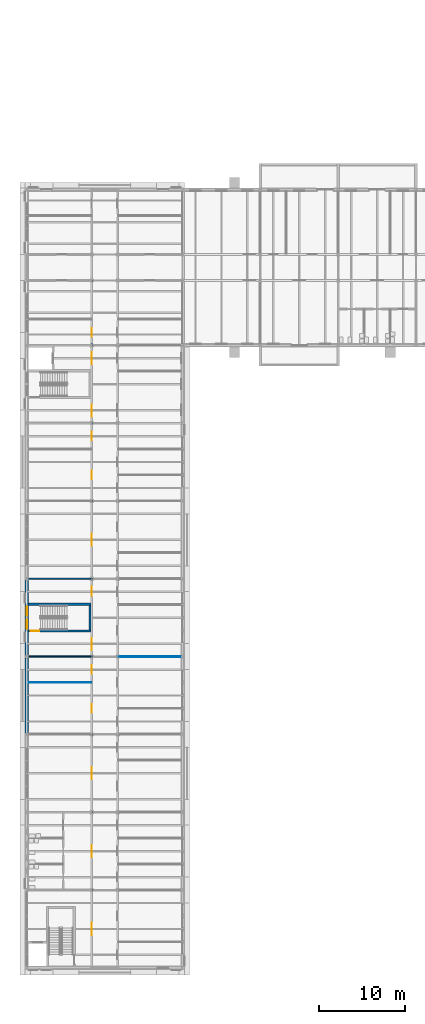
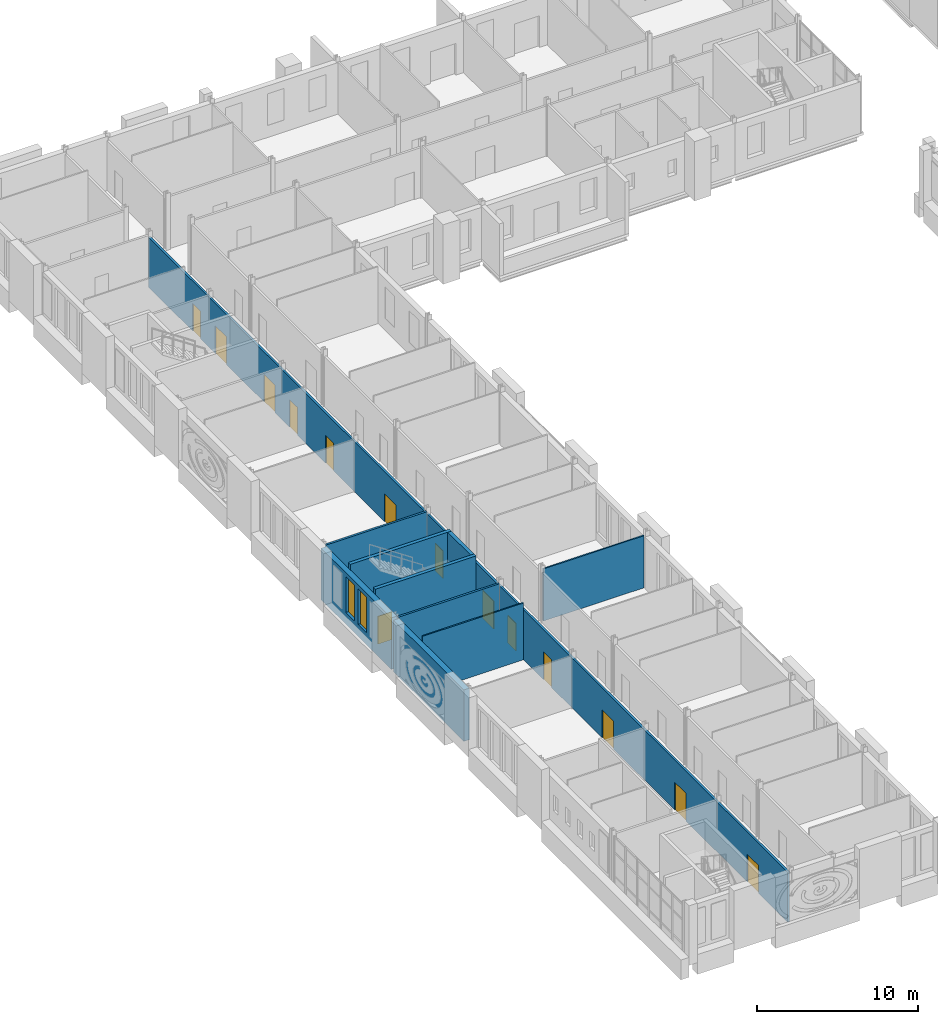
# One storey, part 73 of 131: 14 doors, 10 walls, 2 windows, 16 openings.
"""IFC4 building model written with IfcOpenShell, lengths in metres."""

from ifc_helpers import new_model, si_unit, direction, frame, frame_2d, origin, place, context, subcontext, project, spatial, rectangle, extrude, material, layer, layer_set, type_object, element, fill, save


model = new_model("IFC4")

# Units and contexts
model_context = context("Model", 3, precision=1e-05, world=origin(), true_north=direction((0.0, 1.0)))
body_context = subcontext(model_context, "Body", "Model", "MODEL_VIEW")
ifc_project = project(units=[si_unit("LENGTHUNIT", "METRE"), si_unit("AREAUNIT", "SQUARE_METRE"), si_unit("VOLUMEUNIT", "CUBIC_METRE"), si_unit("PLANEANGLEUNIT", "RADIAN"), si_unit("MASSUNIT", "GRAM", prefix="KILO")], contexts=[model_context])

# Site, building, storey
site_placement = place(None, origin())
site = spatial("IfcSite", under=ifc_project, at=site_placement, CompositionType="ELEMENT")
building_placement = place(site_placement, origin())
building = spatial("IfcBuilding", under=site, at=building_placement, Name="Golden Quay Civic Hall", CompositionType="ELEMENT")
storey_placement = place(building_placement, frame((0.0, 0.0, 9.89990234375)))
storey = spatial("IfcBuildingStorey", under=building, at=storey_placement, Name="L02", CompositionType="ELEMENT", Elevation=9.89990234375)

# Wall, opening, door
ifc_material_1 = material(Name="Concrete C40/50", Category="concrete")
ifc_layer_1 = layer(ifc_material_1, 0.25)
ifc_layer_set_1 = layer_set([ifc_layer_1], Name="Concrete core wall 250, Concrete C40/50")
wall_type_1 = type_object("IfcWallType", Name="Concrete core wall 250", PredefinedType="SHEAR", material=ifc_layer_set_1)
wall_1_placement = place(storey_placement, frame((0.199951171875, 29.949951171875, 0.0), z_axis=(0.0, 0.0, 1.0), x_axis=(1.0, 0.0, 0.0)))
wall_1 = element("IfcWall", 1, at=wall_1_placement, inside=storey, type_object=wall_type_1, Name="Core wall WO-M-W1", PredefinedType="SHEAR", context=body_context, shape_type="SweptSolid", body=[
    extrude(rectangle(XDim=7.22509765625, YDim=0.25, at=frame_2d((3.612548828125, 0.0))), origin(), (0.0, 0.0, 1.0), 4.300048828125),
])
opening_1_placement = place(wall_1_placement, frame((0.25, 0.0, 0.0)))
opening_1 = element("IfcOpeningElement", 2, at=opening_1_placement, cuts=wall_1, Name="Opening L02-D057", PredefinedType="OPENING", context=body_context, shape_type="SweptSolid", body=[
    extrude(rectangle(XDim=1.0, YDim=2.10009765625, at=frame_2d((0.5, 1.050048828125))), frame((0.0, 0.135009765625, 0.0), z_axis=(0.0, -1.0, 0.0), x_axis=(1.0, 0.0, 0.0)), (0.0, 0.0, 1.0), 0.27001953125),
])
ifc_material_2 = material(Name="Steel", Category="steel")
door_type_1 = type_object("IfcDoorType", Name="Steel fire door FD60 1000 x 2100", OperationType="SINGLE_SWING_LEFT", PredefinedType="DOOR", material=ifc_material_2)
door_1_placement = place(opening_1_placement, origin())
door_1 = element("IfcDoor", 3, at=door_1_placement, inside=storey, type_object=door_type_1, Name="Door L02-D057", OperationType="SINGLE_SWING_LEFT", OverallHeight=2.10009765625, OverallWidth=1.0, PredefinedType="DOOR", context=body_context, shape_type="SweptSolid", body=[
    extrude(rectangle(XDim=1.0, YDim=2.10009765625, at=frame_2d((0.5, 1.050048828125))), frame((0.0, 0.02490234375, 0.0), z_axis=(0.0, -1.0, 0.0), x_axis=(1.0, 0.0, 0.0)), (0.0, 0.0, 1.0), 0.050048828125),
])
fill(opening_1, door_1)

# Walls
wall_2_placement = place(storey_placement, frame((0.199951171875, 33.050048828125, 0.0), z_axis=(0.0, 0.0, 1.0), x_axis=(1.0, 0.0, 0.0)))
element("IfcWall", 4, at=wall_2_placement, inside=storey, type_object=wall_type_1, Name="Core wall WO-M-W2", PredefinedType="SHEAR", context=body_context, shape_type="SweptSolid", body=[
    extrude(rectangle(XDim=7.22509765625, YDim=0.25, at=frame_2d((3.612548828125, 0.0))), origin(), (0.0, 0.0, 1.0), 4.300048828125),
])
wall_3_placement = place(storey_placement, frame((7.300048828125, 30.074951171875, 0.0), z_axis=(0.0, 0.0, 1.0), x_axis=(0.0, 1.0, 0.0)))
element("IfcWall", 5, at=wall_3_placement, inside=storey, type_object=wall_type_1, Name="Core wall WO-M-W3", PredefinedType="SHEAR", context=body_context, shape_type="SweptSolid", body=[
    extrude(rectangle(XDim=2.85009765625, YDim=0.25, at=frame_2d((1.425048828125, 0.0))), origin(), (0.0, 0.0, 1.0), 4.300048828125),
])
ifc_material_3 = material(Name="Plasterboard on steel studs", Category="steel")
ifc_layer_2 = layer(ifc_material_3, 0.10009765625)
ifc_layer_set_2 = layer_set([ifc_layer_2], Name="Partition 100 stud")
wall_type_2 = type_object("IfcWallType", Name="Partition 100 stud", PredefinedType="PARTITIONING", material=ifc_layer_set_2)
wall_4_placement = place(storey_placement, frame((0.199951171875, 24.0, 0.0), z_axis=(0.0, 0.0, 1.0), x_axis=(1.0, 0.0, 0.0)))
element("IfcWall", 6, at=wall_4_placement, inside=storey, type_object=wall_type_2, Name="Partition L02-002", PredefinedType="PARTITIONING", context=body_context, shape_type="SweptSolid", body=[
    extrude(rectangle(XDim=7.22509765625, YDim=0.10009765625, at=frame_2d((3.612548828125, 0.0))), origin(), (0.0, 0.0, 1.0), 4.300048828125),
])
wall_5_placement = place(storey_placement, frame((10.574951171875, 27.0, 0.0), z_axis=(0.0, 0.0, 1.0), x_axis=(1.0, 0.0, 0.0)))
element("IfcWall", 7, at=wall_5_placement, inside=storey, type_object=wall_type_2, Name="Partition L02-016", PredefinedType="PARTITIONING", context=body_context, shape_type="SweptSolid", body=[
    extrude(rectangle(XDim=7.22509765625, YDim=0.10009765625, at=frame_2d((3.612548828125, 0.0))), origin(), (0.0, 0.0, 1.0), 3.9501953125),
])
ifc_material_4 = material(Name="Plasterboard on steel studs", Category="steel")
ifc_layer_3 = layer(ifc_material_4, 0.14990234375)
ifc_layer_set_3 = layer_set([ifc_layer_3], Name="Partition 150 stud fire EI 60")
wall_type_3 = type_object("IfcWallType", Name="Partition 150 stud fire EI 60", PredefinedType="PARTITIONING", material=ifc_layer_set_3)
for number, where, z_axis, x_axis, name in (
    (8, (0.199951171875, 27.0, 0.0), (0.0, 0.0, 1.0), (1.0, 0.0, 0.0), "Partition L02-003"),
    (9, (0.199951171875, 36.0, 0.0), (0.0, 0.0, 1.0), (1.0, 0.0, 0.0), "Partition L02-004"),
):
    element("IfcWall", number, at=place(storey_placement, frame(where, z_axis=z_axis, x_axis=x_axis)), inside=storey, type_object=wall_type_3, Name=name, PredefinedType="PARTITIONING", context=body_context, shape_type="SweptSolid", body=[
        extrude(rectangle(XDim=7.22509765625, YDim=0.14990234375, at=frame_2d((3.612548828125, 0.0))), origin(), (0.0, 0.0, 1.0), 3.9501953125),
    ])

# Wall, openings, doors
wall_6_placement = place(storey_placement, frame((7.5, -8.800048828125, 0.0), z_axis=(0.0, 0.0, 1.0), x_axis=(0.0, 1.0, 0.0)))
wall_6 = element("IfcWall", 10, at=wall_6_placement, inside=storey, type_object=wall_type_3, Name="Partition L02-026", PredefinedType="PARTITIONING", context=body_context, shape_type="SweptSolid", body=[
    extrude(rectangle(XDim=79.300048828125, YDim=0.14990234375, at=frame_2d((39.64990234375, 0.0))), origin(), (0.0, 0.0, 1.0), 3.780029296875),
])
opening_2_placement = place(wall_6_placement, frame((21.60009765625, 0.0, 0.0)))
opening_2 = element("IfcOpeningElement", 11, at=opening_2_placement, cuts=wall_6, Name="Opening L02-D024", PredefinedType="OPENING", context=body_context, shape_type="SweptSolid", body=[
    extrude(rectangle(XDim=1.39990234375, YDim=2.10009765625, at=frame_2d((0.699951171875, 1.050048828125))), frame((0.0, 0.0849609375, 0.0), z_axis=(0.0, -1.0, 0.0), x_axis=(1.0, 0.0, 0.0)), (0.0, 0.0, 1.0), 0.169921875),
])
opening_3_placement = place(wall_6_placement, frame((29.300048828125, 0.0, 0.0)))
opening_3 = element("IfcOpeningElement", 12, at=opening_3_placement, cuts=wall_6, Name="Opening L02-D025", PredefinedType="OPENING", context=body_context, shape_type="SweptSolid", body=[
    extrude(rectangle(XDim=1.0, YDim=2.10009765625, at=frame_2d((0.5, 1.050048828125))), frame((0.0, 0.0849609375, 0.0), z_axis=(0.0, -1.0, 0.0), x_axis=(1.0, 0.0, 0.0)), (0.0, 0.0, 1.0), 0.169921875),
])
opening_4_placement = place(wall_6_placement, frame((33.800048828125, 0.0, 0.0)))
opening_4 = element("IfcOpeningElement", 13, at=opening_4_placement, cuts=wall_6, Name="Opening L02-D026", PredefinedType="OPENING", context=body_context, shape_type="SweptSolid", body=[
    extrude(rectangle(XDim=1.0, YDim=2.10009765625, at=frame_2d((0.5, 1.050048828125))), frame((0.0, 0.0849609375, 0.0), z_axis=(0.0, -1.0, 0.0), x_axis=(1.0, 0.0, 0.0)), (0.0, 0.0, 1.0), 0.169921875),
])
opening_5_placement = place(wall_6_placement, frame((48.60009765625, 0.0, 0.0)))
opening_5 = element("IfcOpeningElement", 14, at=opening_5_placement, cuts=wall_6, Name="Opening L02-D027", PredefinedType="OPENING", context=body_context, shape_type="SweptSolid", body=[
    extrude(rectangle(XDim=1.39990234375, YDim=2.10009765625, at=frame_2d((0.699951171875, 1.050048828125))), frame((0.0, 0.0849609375, 0.0), z_axis=(0.0, -1.0, 0.0), x_axis=(1.0, 0.0, 0.0)), (0.0, 0.0, 1.0), 0.169921875),
])
opening_6_placement = place(wall_6_placement, frame((56.300048828125, 0.0, 0.0)))
opening_6 = element("IfcOpeningElement", 15, at=opening_6_placement, cuts=wall_6, Name="Opening L02-D028", PredefinedType="OPENING", context=body_context, shape_type="SweptSolid", body=[
    extrude(rectangle(XDim=1.0, YDim=2.10009765625, at=frame_2d((0.5, 1.050048828125))), frame((0.0, 0.0849609375, 0.0), z_axis=(0.0, -1.0, 0.0), x_axis=(1.0, 0.0, 0.0)), (0.0, 0.0, 1.0), 0.169921875),
])
opening_7_placement = place(wall_6_placement, frame((60.800048828125, 0.0, 0.0)))
opening_7 = element("IfcOpeningElement", 16, at=opening_7_placement, cuts=wall_6, Name="Opening L02-D029", PredefinedType="OPENING", context=body_context, shape_type="SweptSolid", body=[
    extrude(rectangle(XDim=1.0, YDim=2.10009765625, at=frame_2d((0.5, 1.050048828125))), frame((0.0, 0.0849609375, 0.0), z_axis=(0.0, -1.0, 0.0), x_axis=(1.0, 0.0, 0.0)), (0.0, 0.0, 1.0), 0.169921875),
])
opening_8_placement = place(wall_6_placement, frame((12.60009765625, 0.0, 0.0)))
opening_8 = element("IfcOpeningElement", 17, at=opening_8_placement, cuts=wall_6, Name="Opening L02-D047", PredefinedType="OPENING", context=body_context, shape_type="SweptSolid", body=[
    extrude(rectangle(XDim=1.39990234375, YDim=2.10009765625, at=frame_2d((0.699951171875, 1.050048828125))), frame((0.0, 0.0849609375, 0.0), z_axis=(0.0, -1.0, 0.0), x_axis=(1.0, 0.0, 0.0)), (0.0, 0.0, 1.0), 0.169921875),
])
opening_9_placement = place(wall_6_placement, frame((3.60009765625, 0.0, 0.0)))
opening_9 = element("IfcOpeningElement", 18, at=opening_9_placement, cuts=wall_6, Name="Opening L02-D052", PredefinedType="OPENING", context=body_context, shape_type="SweptSolid", body=[
    extrude(rectangle(XDim=1.39990234375, YDim=2.10009765625, at=frame_2d((0.699951171875, 1.050048828125))), frame((0.0, 0.0849609375, 0.0), z_axis=(0.0, -1.0, 0.0), x_axis=(1.0, 0.0, 0.0)), (0.0, 0.0, 1.0), 0.169921875),
])
opening_10_placement = place(wall_6_placement, frame((63.550048828125, 0.0, 0.0)))
opening_10 = element("IfcOpeningElement", 19, at=opening_10_placement, cuts=wall_6, Name="Opening L02-D054", PredefinedType="OPENING", context=body_context, shape_type="SweptSolid", body=[
    extrude(rectangle(XDim=1.39990234375, YDim=2.10009765625, at=frame_2d((0.699951171875, 1.050048828125))), frame((0.0, 0.0849609375, 0.0), z_axis=(0.0, -1.0, 0.0), x_axis=(1.0, 0.0, 0.0)), (0.0, 0.0, 1.0), 0.169921875),
])
opening_11_placement = place(wall_6_placement, frame((69.60009765625, 0.0, 0.0)))
opening_11 = element("IfcOpeningElement", 20, at=opening_11_placement, cuts=wall_6, Name="Opening L02-D055", PredefinedType="OPENING", context=body_context, shape_type="SweptSolid", body=[
    extrude(rectangle(XDim=1.39990234375, YDim=2.10009765625, at=frame_2d((0.699951171875, 1.050048828125))), frame((0.0, 0.0849609375, 0.0), z_axis=(0.0, -1.0, 0.0), x_axis=(1.0, 0.0, 0.0)), (0.0, 0.0, 1.0), 0.169921875),
])
opening_12_placement = place(wall_6_placement, frame((42.85009765625, 0.0, 0.0)))
opening_12 = element("IfcOpeningElement", 21, at=opening_12_placement, cuts=wall_6, Name="Opening L02-D056", PredefinedType="OPENING", context=body_context, shape_type="SweptSolid", body=[
    extrude(rectangle(XDim=1.0, YDim=2.10009765625, at=frame_2d((0.5, 1.050048828125))), frame((0.0, 0.0849609375, 0.0), z_axis=(0.0, -1.0, 0.0), x_axis=(1.0, 0.0, 0.0)), (0.0, 0.0, 1.0), 0.169921875),
])
opening_13_placement = place(wall_6_placement, frame((36.550048828125, 0.0, 0.0)))
opening_13 = element("IfcOpeningElement", 22, at=opening_13_placement, cuts=wall_6, Name="Opening L02-D058", PredefinedType="OPENING", context=body_context, shape_type="SweptSolid", body=[
    extrude(rectangle(XDim=1.39990234375, YDim=2.10009765625, at=frame_2d((0.699951171875, 1.050048828125))), frame((0.0, 0.0849609375, 0.0), z_axis=(0.0, -1.0, 0.0), x_axis=(1.0, 0.0, 0.0)), (0.0, 0.0, 1.0), 0.169921875),
])
opening_14_placement = place(wall_6_placement, frame((72.800048828125, 0.0, 0.0)))
opening_14 = element("IfcOpeningElement", 23, at=opening_14_placement, cuts=wall_6, Name="Opening L02-D059", PredefinedType="OPENING", context=body_context, shape_type="SweptSolid", body=[
    extrude(rectangle(XDim=1.0, YDim=2.10009765625, at=frame_2d((0.5, 1.050048828125))), frame((0.0, 0.0849609375, 0.0), z_axis=(0.0, -1.0, 0.0), x_axis=(1.0, 0.0, 0.0)), (0.0, 0.0, 1.0), 0.169921875),
])
ifc_material_5 = material(Name="Steel", Category="steel")
door_type_2 = type_object("IfcDoorType", Name="Steel double fire door FD30S 1400 x 2100", OperationType="DOUBLE_DOOR_SINGLE_SWING", PredefinedType="DOOR", material=ifc_material_5)
door_2_placement = place(opening_2_placement, origin())
door_2 = element("IfcDoor", 24, at=door_2_placement, inside=storey, type_object=door_type_2, Name="Door L02-D024", OperationType="DOUBLE_DOOR_SINGLE_SWING", OverallHeight=2.10009765625, OverallWidth=1.39990234375, PredefinedType="DOOR", context=body_context, shape_type="SweptSolid", body=[
    extrude(rectangle(XDim=1.39990234375, YDim=2.10009765625, at=frame_2d((0.699951171875, 1.050048828125))), frame((0.0, 0.02490234375, 0.0), z_axis=(0.0, -1.0, 0.0), x_axis=(1.0, 0.0, 0.0)), (0.0, 0.0, 1.0), 0.050048828125),
])
fill(opening_2, door_2)
door_3_placement = place(opening_5_placement, origin())
door_3 = element("IfcDoor", 25, at=door_3_placement, inside=storey, type_object=door_type_2, Name="Door L02-D027", OperationType="DOUBLE_DOOR_SINGLE_SWING", OverallHeight=2.10009765625, OverallWidth=1.39990234375, PredefinedType="DOOR", context=body_context, shape_type="SweptSolid", body=[
    extrude(rectangle(XDim=1.39990234375, YDim=2.10009765625, at=frame_2d((0.699951171875, 1.050048828125))), frame((0.0, 0.02490234375, 0.0), z_axis=(0.0, -1.0, 0.0), x_axis=(1.0, 0.0, 0.0)), (0.0, 0.0, 1.0), 0.050048828125),
])
fill(opening_5, door_3)
door_4_placement = place(opening_8_placement, origin())
door_4 = element("IfcDoor", 26, at=door_4_placement, inside=storey, type_object=door_type_2, Name="Door L02-D047", OperationType="DOUBLE_DOOR_SINGLE_SWING", OverallHeight=2.10009765625, OverallWidth=1.39990234375, PredefinedType="DOOR", context=body_context, shape_type="SweptSolid", body=[
    extrude(rectangle(XDim=1.39990234375, YDim=2.10009765625, at=frame_2d((0.699951171875, 1.050048828125))), frame((0.0, 0.02490234375, 0.0), z_axis=(0.0, -1.0, 0.0), x_axis=(1.0, 0.0, 0.0)), (0.0, 0.0, 1.0), 0.050048828125),
])
fill(opening_8, door_4)
door_5_placement = place(opening_9_placement, frame((1.39990234375, 0.0, 0.0), z_axis=(0.0, 0.0, 1.0), x_axis=(-1.0, 0.0, 0.0)))
door_5 = element("IfcDoor", 27, at=door_5_placement, inside=storey, type_object=door_type_2, Name="Door L02-D052", OperationType="DOUBLE_DOOR_SINGLE_SWING", OverallHeight=2.10009765625, OverallWidth=1.39990234375, PredefinedType="DOOR", context=body_context, shape_type="SweptSolid", body=[
    extrude(rectangle(XDim=1.39990234375, YDim=2.10009765625, at=frame_2d((0.699951171875, 1.050048828125))), frame((0.0, 0.025146484375, 0.0), z_axis=(0.0, -1.0, 0.0), x_axis=(1.0, 0.0, 0.0)), (0.0, 0.0, 1.0), 0.050048828125),
])
fill(opening_9, door_5)
door_6_placement = place(opening_10_placement, frame((1.39990234375, 0.0, 0.0), z_axis=(0.0, 0.0, 1.0), x_axis=(-1.0, 0.0, 0.0)))
door_6 = element("IfcDoor", 28, at=door_6_placement, inside=storey, type_object=door_type_2, Name="Door L02-D054", OperationType="DOUBLE_DOOR_SINGLE_SWING", OverallHeight=2.10009765625, OverallWidth=1.39990234375, PredefinedType="DOOR", context=body_context, shape_type="SweptSolid", body=[
    extrude(rectangle(XDim=1.39990234375, YDim=2.10009765625, at=frame_2d((0.699951171875, 1.050048828125))), frame((0.0, 0.025146484375, 0.0), z_axis=(0.0, -1.0, 0.0), x_axis=(1.0, 0.0, 0.0)), (0.0, 0.0, 1.0), 0.050048828125),
])
fill(opening_10, door_6)
door_7_placement = place(opening_11_placement, frame((1.39990234375, 0.0, 0.0), z_axis=(0.0, 0.0, 1.0), x_axis=(-1.0, 0.0, 0.0)))
door_7 = element("IfcDoor", 29, at=door_7_placement, inside=storey, type_object=door_type_2, Name="Door L02-D055", OperationType="DOUBLE_DOOR_SINGLE_SWING", OverallHeight=2.10009765625, OverallWidth=1.39990234375, PredefinedType="DOOR", context=body_context, shape_type="SweptSolid", body=[
    extrude(rectangle(XDim=1.39990234375, YDim=2.10009765625, at=frame_2d((0.699951171875, 1.050048828125))), frame((0.0, 0.025146484375, 0.0), z_axis=(0.0, -1.0, 0.0), x_axis=(1.0, 0.0, 0.0)), (0.0, 0.0, 1.0), 0.050048828125),
])
fill(opening_11, door_7)
door_8_placement = place(opening_13_placement, frame((1.39990234375, 0.0, 0.0), z_axis=(0.0, 0.0, 1.0), x_axis=(-1.0, 0.0, 0.0)))
door_8 = element("IfcDoor", 30, at=door_8_placement, inside=storey, type_object=door_type_2, Name="Door L02-D058", OperationType="DOUBLE_DOOR_SINGLE_SWING", OverallHeight=2.10009765625, OverallWidth=1.39990234375, PredefinedType="DOOR", context=body_context, shape_type="SweptSolid", body=[
    extrude(rectangle(XDim=1.39990234375, YDim=2.10009765625, at=frame_2d((0.699951171875, 1.050048828125))), frame((0.0, 0.025146484375, 0.0), z_axis=(0.0, -1.0, 0.0), x_axis=(1.0, 0.0, 0.0)), (0.0, 0.0, 1.0), 0.050048828125),
])
fill(opening_13, door_8)
ifc_material_6 = material(Name="Steel", Category="steel")
door_type_3 = type_object("IfcDoorType", Name="Steel fire door FD30S 1000 x 2100", OperationType="SINGLE_SWING_LEFT", PredefinedType="DOOR", material=ifc_material_6)
door_9_placement = place(opening_3_placement, origin())
door_9 = element("IfcDoor", 31, at=door_9_placement, inside=storey, type_object=door_type_3, Name="Door L02-D025", OperationType="SINGLE_SWING_LEFT", OverallHeight=2.10009765625, OverallWidth=1.0, PredefinedType="DOOR", context=body_context, shape_type="SweptSolid", body=[
    extrude(rectangle(XDim=1.0, YDim=2.10009765625, at=frame_2d((0.5, 1.050048828125))), frame((0.0, 0.02490234375, 0.0), z_axis=(0.0, -1.0, 0.0), x_axis=(1.0, 0.0, 0.0)), (0.0, 0.0, 1.0), 0.050048828125),
])
fill(opening_3, door_9)
door_10_placement = place(opening_4_placement, origin())
door_10 = element("IfcDoor", 32, at=door_10_placement, inside=storey, type_object=door_type_3, Name="Door L02-D026", OperationType="SINGLE_SWING_LEFT", OverallHeight=2.10009765625, OverallWidth=1.0, PredefinedType="DOOR", context=body_context, shape_type="SweptSolid", body=[
    extrude(rectangle(XDim=1.0, YDim=2.10009765625, at=frame_2d((0.5, 1.050048828125))), frame((0.0, 0.02490234375, 0.0), z_axis=(0.0, -1.0, 0.0), x_axis=(1.0, 0.0, 0.0)), (0.0, 0.0, 1.0), 0.050048828125),
])
fill(opening_4, door_10)
door_11_placement = place(opening_6_placement, origin())
door_11 = element("IfcDoor", 33, at=door_11_placement, inside=storey, type_object=door_type_3, Name="Door L02-D028", OperationType="SINGLE_SWING_LEFT", OverallHeight=2.10009765625, OverallWidth=1.0, PredefinedType="DOOR", context=body_context, shape_type="SweptSolid", body=[
    extrude(rectangle(XDim=1.0, YDim=2.10009765625, at=frame_2d((0.5, 1.050048828125))), frame((0.0, 0.02490234375, 0.0), z_axis=(0.0, -1.0, 0.0), x_axis=(1.0, 0.0, 0.0)), (0.0, 0.0, 1.0), 0.050048828125),
])
fill(opening_6, door_11)
door_12_placement = place(opening_7_placement, origin())
door_12 = element("IfcDoor", 34, at=door_12_placement, inside=storey, type_object=door_type_3, Name="Door L02-D029", OperationType="SINGLE_SWING_LEFT", OverallHeight=2.10009765625, OverallWidth=1.0, PredefinedType="DOOR", context=body_context, shape_type="SweptSolid", body=[
    extrude(rectangle(XDim=1.0, YDim=2.10009765625, at=frame_2d((0.5, 1.050048828125))), frame((0.0, 0.02490234375, 0.0), z_axis=(0.0, -1.0, 0.0), x_axis=(1.0, 0.0, 0.0)), (0.0, 0.0, 1.0), 0.050048828125),
])
fill(opening_7, door_12)
door_13_placement = place(opening_12_placement, origin())
door_13 = element("IfcDoor", 35, at=door_13_placement, inside=storey, type_object=door_type_3, Name="Door L02-D056", OperationType="SINGLE_SWING_LEFT", OverallHeight=2.10009765625, OverallWidth=1.0, PredefinedType="DOOR", context=body_context, shape_type="SweptSolid", body=[
    extrude(rectangle(XDim=1.0, YDim=2.10009765625, at=frame_2d((0.5, 1.050048828125))), frame((0.0, 0.02490234375, 0.0), z_axis=(0.0, -1.0, 0.0), x_axis=(1.0, 0.0, 0.0)), (0.0, 0.0, 1.0), 0.050048828125),
])
fill(opening_12, door_13)
door_14_placement = place(opening_14_placement, origin())
door_14 = element("IfcDoor", 36, at=door_14_placement, inside=storey, type_object=door_type_3, Name="Door L02-D059", OperationType="SINGLE_SWING_LEFT", OverallHeight=2.10009765625, OverallWidth=1.0, PredefinedType="DOOR", context=body_context, shape_type="SweptSolid", body=[
    extrude(rectangle(XDim=1.0, YDim=2.10009765625, at=frame_2d((0.5, 1.050048828125))), frame((0.0, 0.02490234375, 0.0), z_axis=(0.0, -1.0, 0.0), x_axis=(1.0, 0.0, 0.0)), (0.0, 0.0, 1.0), 0.050048828125),
])
fill(opening_14, door_14)

# Wall
ifc_material_7 = material(Name="Clay block, rendered, cream")
ifc_layer_4 = layer(ifc_material_7, 0.39990234375)
ifc_layer_set_4 = layer_set([ifc_layer_4], Name="Rendered block external wall 400")
wall_type_4 = type_object("IfcWallType", Name="Rendered block external wall 400", PredefinedType="STANDARD", material=ifc_layer_set_4)
wall_7_placement = place(storey_placement, frame((0.0, 18.14501953125, 0.0), z_axis=(0.0, 0.0, 1.0), x_axis=(0.0, 1.0, 0.0)))
element("IfcWall", 37, at=wall_7_placement, inside=storey, type_object=wall_type_4, Name="Rendered block external wall 400 L02 3", PredefinedType="STANDARD", context=body_context, shape_type="SweptSolid", body=[
    extrude(rectangle(XDim=8.7099609375, YDim=0.39990234375, at=frame_2d((4.35498046875, 0.0))), origin(), (0.0, 0.0, 1.0), 3.900146484375),
])

# Wall, openings, windows
ifc_material_8 = material(Name="Clay block, rendered, cream")
ifc_layer_5 = layer(ifc_material_8, 0.39990234375)
ifc_layer_set_5 = layer_set([ifc_layer_5], Name="Rendered block external wall 400 fire EI 60")
wall_type_5 = type_object("IfcWallType", Name="Rendered block external wall 400 fire EI 60", PredefinedType="STANDARD", material=ifc_layer_set_5)
wall_8_placement = place(storey_placement, frame((0.0, 27.14501953125, 0.0), z_axis=(0.0, 0.0, 1.0), x_axis=(0.0, 1.0, 0.0)))
wall_8 = element("IfcWall", 38, at=wall_8_placement, inside=storey, type_object=wall_type_5, Name="Rendered block external wall 400 fire EI 60 L02 1", PredefinedType="STANDARD", context=body_context, shape_type="SweptSolid", body=[
    extrude(rectangle(XDim=8.7099609375, YDim=0.39990234375, at=frame_2d((4.35498046875, 0.0))), origin(), (0.0, 0.0, 1.0), 3.900146484375),
])
opening_15_placement = place(wall_8_placement, frame((3.080078125, 0.0, 0.89990234375)))
opening_15 = element("IfcOpeningElement", 39, at=opening_15_placement, cuts=wall_8, Name="Opening WN6", PredefinedType="OPENING", context=body_context, shape_type="SweptSolid", body=[
    extrude(rectangle(XDim=1.050048828125, YDim=2.699951171875, at=frame_2d((0.52490234375, 1.35009765625))), frame((0.0, 0.2099609375, 0.0), z_axis=(0.0, -1.0, 0.0), x_axis=(1.0, 0.0, 0.0)), (0.0, 0.0, 1.0), 0.419921875),
])
opening_16_placement = place(wall_8_placement, frame((4.580078125, 0.0, 0.89990234375)))
opening_16 = element("IfcOpeningElement", 40, at=opening_16_placement, cuts=wall_8, Name="Opening WN6", PredefinedType="OPENING", context=body_context, shape_type="SweptSolid", body=[
    extrude(rectangle(XDim=1.050048828125, YDim=2.699951171875, at=frame_2d((0.52490234375, 1.35009765625))), frame((0.0, 0.2099609375, 0.0), z_axis=(0.0, -1.0, 0.0), x_axis=(1.0, 0.0, 0.0)), (0.0, 0.0, 1.0), 0.419921875),
])
ifc_material_9 = material(Name="Aluminium frame, double glazed", Category="aluminium")
window_type = type_object("IfcWindowType", Name="Stair light window 1050 x 2700", PartitioningType="SINGLE_PANEL", PredefinedType="WINDOW", material=ifc_material_9)
window_1_placement = place(opening_15_placement, origin())
window_1 = element("IfcWindow", 41, at=window_1_placement, inside=storey, type_object=window_type, Name="Stair light window 1050 x 2700 L02 1", OverallHeight=2.699951171875, OverallWidth=1.050048828125, PartitioningType="SINGLE_PANEL", PredefinedType="WINDOW", context=body_context, shape_type="SweptSolid", body=[
    extrude(rectangle(XDim=1.050048828125, YDim=2.699951171875, at=frame_2d((0.52490234375, 1.35009765625))), frame((0.0, 0.030029296875, 0.0), z_axis=(0.0, -1.0, 0.0), x_axis=(1.0, 0.0, 0.0)), (0.0, 0.0, 1.0), 0.06005859375),
])
fill(opening_15, window_1)
window_2_placement = place(opening_16_placement, origin())
window_2 = element("IfcWindow", 42, at=window_2_placement, inside=storey, type_object=window_type, Name="Stair light window 1050 x 2700 L02 2", OverallHeight=2.699951171875, OverallWidth=1.050048828125, PartitioningType="SINGLE_PANEL", PredefinedType="WINDOW", context=body_context, shape_type="SweptSolid", body=[
    extrude(rectangle(XDim=1.050048828125, YDim=2.699951171875, at=frame_2d((0.52490234375, 1.35009765625))), frame((0.0, 0.030029296875, 0.0), z_axis=(0.0, -1.0, 0.0), x_axis=(1.0, 0.0, 0.0)), (0.0, 0.0, 1.0), 0.06005859375),
])
fill(opening_16, window_2)

save(model, "model.ifc")
